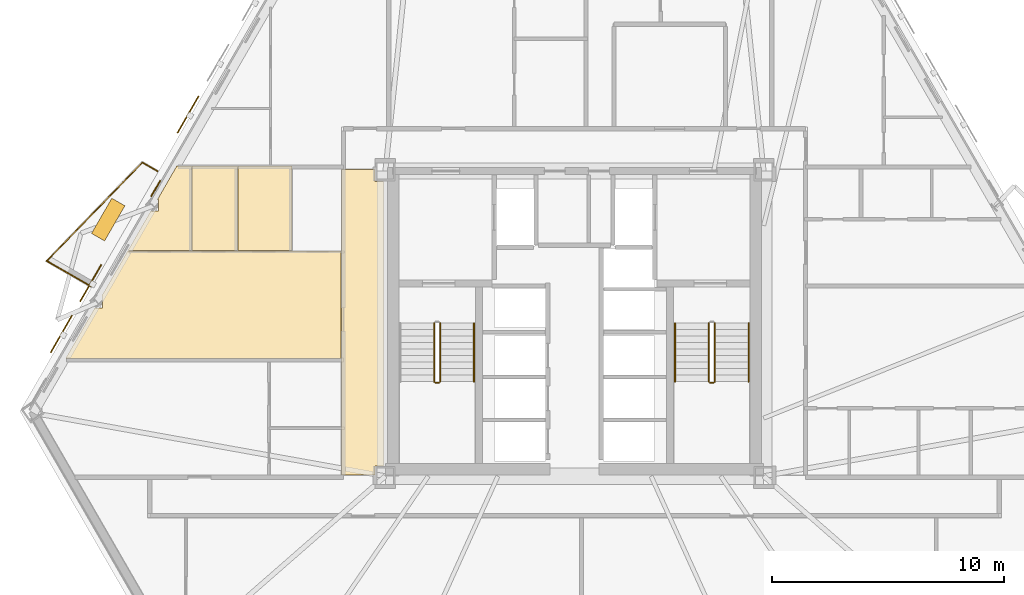
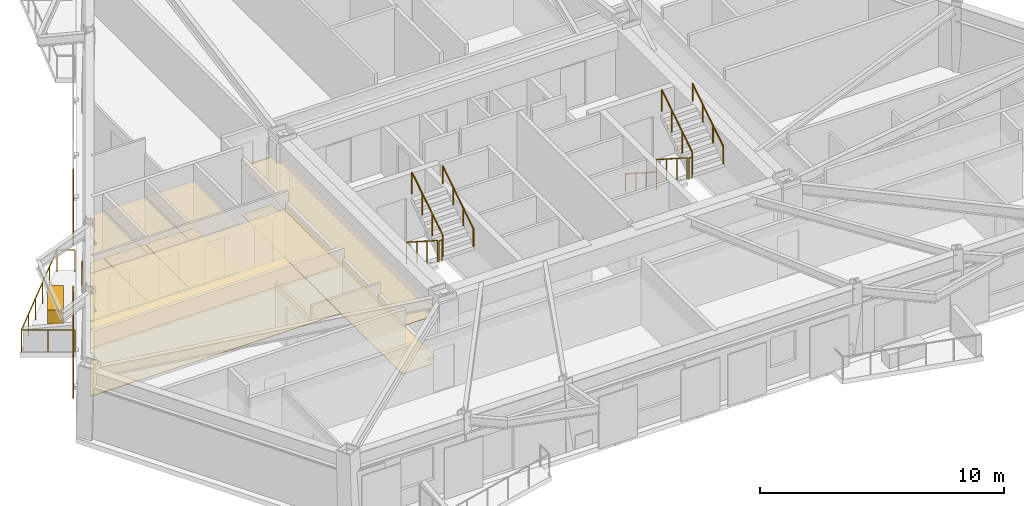
# One storey, part 9 of 11: 12 coverings, 12 railings, 3 shading devices.
"""IFC4 building model written with IfcOpenShell, lengths in metres."""

from ifc_helpers import new_model, si_unit, direction, frame, origin, origin_2d, place, context, subcontext, project, spatial, polyline, rectangle, circle, outline, extrude, material, layer, layer_set, type_object, element, save


model = new_model("IFC4")

# Units and contexts
model_context = context("Model", 3, precision=1e-05, world=origin(), true_north=direction((0.0, 1.0)))
body_context = subcontext(model_context, "Body", "Model", "MODEL_VIEW")
ifc_project = project(units=[si_unit("LENGTHUNIT", "METRE"), si_unit("AREAUNIT", "SQUARE_METRE"), si_unit("VOLUMEUNIT", "CUBIC_METRE"), si_unit("PLANEANGLEUNIT", "RADIAN"), si_unit("MASSUNIT", "GRAM", prefix="KILO")], contexts=[model_context])

# Site, building, storey
site_placement = place(None, origin())
site = spatial("IfcSite", under=ifc_project, at=site_placement, CompositionType="ELEMENT")
building_placement = place(site_placement, origin())
building = spatial("IfcBuilding", under=site, at=building_placement, Name="Oramaril Tower", CompositionType="ELEMENT")
storey_placement = place(building_placement, frame((0.0, 0.0, 89.699951171875)))
storey = spatial("IfcBuildingStorey", under=building, at=storey_placement, Name="L23", CompositionType="ELEMENT", Elevation=89.699951171875)

# Coverings
ifc_material_1 = material(Name="Mineral Fibre Acoustic Ceiling")
ifc_layer_1 = layer(ifc_material_1, 0.02001953125)
ifc_layer_set_1 = layer_set([ifc_layer_1], Name="CVT-CEIL")
covering_type_1 = type_object("IfcCoveringType", Name="CVT-CEIL", PredefinedType="CEILING", material=ifc_layer_set_1)
covering_1_placement = place(storey_placement, frame((0.0, 0.0, 2.400146484375)))
element("IfcCovering", 1, at=covering_1_placement, inside=storey, type_object=covering_type_1, Name="L23 Acoustic Suspended Ceiling 3", PredefinedType="CEILING", context=body_context, shape_type="SweptSolid", body=[
    extrude(outline(polyline([(28.905029296875, 23.705078125), (29.280029296875, 23.705078125), (29.280029296875, 11.445068359375), (28.905029296875, 11.445068359375), (28.905029296875, 11.050048828125), (27.469970703125, 11.050048828125), (27.469970703125, 24.219970703125), (28.905029296875, 24.219970703125), (28.905029296875, 23.705078125)])), origin(), (0.0, 0.0, 1.0), 0.02001953125),
])
covering_2_placement = place(storey_placement, frame((0.0, 0.0, 2.400146484375)))
element("IfcCovering", 2, at=covering_2_placement, inside=storey, type_object=covering_type_1, Name="L23 Acoustic Suspended Ceiling 13", PredefinedType="CEILING", context=body_context, shape_type="SweptSolid", body=[
    extrude(outline(polyline([(16.83837890625, 18.255859375), (17.168701171875, 18.255859375), (17.168701171875, 18.7705078125), (17.135498046875, 18.7705078125), (18.250244140625, 20.701171875), (27.449951171875, 20.701171875), (27.449951171875, 16.06201171875), (24.39208984375, 16.06201171875), (24.389892578125, 16.06201171875), (24.38818359375, 16.0615234375), (24.38623046875, 16.06103515625), (24.38427734375, 16.060546875), (24.382568359375, 16.0595703125), (24.382080078125, 16.059326171875), (24.38134765625, 16.0595703125), (24.379638671875, 16.060546875), (24.377685546875, 16.06103515625), (24.3759765625, 16.0615234375), (24.3740234375, 16.06201171875), (24.3720703125, 16.06201171875), (15.572021484375, 16.06201171875), (16.83837890625, 18.255859375)])), origin(), (0.0, 0.0, 1.0), 0.02001953125),
])
covering_3_placement = place(storey_placement, frame((0.0, 0.0, 2.400146484375)))
element("IfcCovering", 3, at=covering_3_placement, inside=storey, type_object=covering_type_1, Name="L23 Acoustic Suspended Ceiling 14", PredefinedType="CEILING", context=body_context, shape_type="SweptSolid", body=[
    extrude(outline(polyline([(19.573486328125, 22.42138671875), (19.573486328125, 22.926025390625), (19.534912109375, 22.926025390625), (20.36376953125, 24.362060546875), (21.00341796875, 24.362060546875), (21.00341796875, 20.72119140625), (18.261962890625, 20.72119140625), (19.243408203125, 22.42138671875), (19.573486328125, 22.42138671875)])), origin(), (0.0, 0.0, 1.0), 0.02001953125),
])
covering_4_placement = place(storey_placement, frame((0.0, 0.0, 2.400146484375)))
element("IfcCovering", 4, at=covering_4_placement, inside=storey, type_object=covering_type_1, Name="L23 Acoustic Suspended Ceiling 15", PredefinedType="CEILING", context=body_context, shape_type="SweptSolid", body=[
    extrude(outline(polyline([(22.970947265625, 24.362060546875), (22.970947265625, 20.72119140625), (21.0234375, 20.72119140625), (21.0234375, 24.362060546875), (22.970947265625, 24.362060546875)])), origin(), (0.0, 0.0, 1.0), 0.02001953125),
])
covering_5_placement = place(storey_placement, frame((0.0, 0.0, 2.400146484375)))
element("IfcCovering", 5, at=covering_5_placement, inside=storey, type_object=covering_type_1, Name="L23 Acoustic Suspended Ceiling 16", PredefinedType="CEILING", context=body_context, shape_type="SweptSolid", body=[
    extrude(outline(polyline([(25.319580078125, 24.362060546875), (25.319580078125, 20.72119140625), (22.990966796875, 20.72119140625), (22.990966796875, 24.362060546875), (25.319580078125, 24.362060546875)])), origin(), (0.0, 0.0, 1.0), 0.02001953125),
])
ifc_material_2 = material(Name="Warm Cream Limestone", Category="masonry")
ifc_layer_2 = layer(ifc_material_2, 0.050048828125)
ifc_layer_set_2 = layer_set([ifc_layer_2], Name="CVT-CLD")
covering_type_2 = type_object("IfcCoveringType", Name="CVT-CLD", PredefinedType="CLADDING", material=ifc_layer_set_2)
covering_6_placement = place(storey_placement, frame((19.45703125, 23.393310546875, 0.0400390625), z_axis=(0.0, 0.0, 1.0), x_axis=(-0.5, -0.866025403784, 0.0)))
element("IfcCovering", 6, at=covering_6_placement, inside=storey, type_object=covering_type_2, Name="L23 Warm Cream Limestone Spandrel Cladding", PredefinedType="CLADDING", context=body_context, shape_type="SweptSolid", body=[
    extrude(rectangle(XDim=0.800048828125, YDim=0.050048828125, at=origin_2d()), origin(), (0.0, 0.0, 1.0), 0.679931640625),
])
covering_7_placement = place(storey_placement, frame((17.409423828125, 22.05419921875, 0.0), z_axis=(0.0, 0.0, 1.0), x_axis=(-0.5, -0.866025403784, 0.0)))
element("IfcCovering", 7, at=covering_7_placement, inside=storey, type_object=covering_type_2, Name="L23 Structural Tree Planter Box L23-BAL-NW2", PredefinedType="CLADDING", context=body_context, shape_type="SweptSolid", body=[
    extrude(rectangle(XDim=1.75, YDim=0.64990234375, at=origin_2d()), origin(), (0.0, 0.0, 1.0), 0.699951171875),
])
ifc_material_3 = material(Name="Honed Quartzite Stone Flooring", Category="masonry")
ifc_layer_3 = layer(ifc_material_3, 0.02490234375)
ifc_layer_set_3 = layer_set([ifc_layer_3], Name="CVT-FLR")
covering_type_3 = type_object("IfcCoveringType", Name="CVT-FLR", PredefinedType="FLOORING", material=ifc_layer_set_3)
covering_8_placement = place(storey_placement, origin())
element("IfcCovering", 8, at=covering_8_placement, inside=storey, type_object=covering_type_3, Name="L23 Honed Stone Floor Finish 3", PredefinedType="FLOORING", context=body_context, shape_type="SweptSolid", body=[
    extrude(outline(polyline([(28.905029296875, 23.705078125), (29.280029296875, 23.705078125), (29.280029296875, 11.445068359375), (28.905029296875, 11.445068359375), (28.905029296875, 11.050048828125), (27.469970703125, 11.050048828125), (27.469970703125, 24.219970703125), (28.905029296875, 24.219970703125), (28.905029296875, 23.705078125)])), origin(), (0.0, 0.0, 1.0), 0.025146484375),
])
covering_9_placement = place(storey_placement, origin())
element("IfcCovering", 9, at=covering_9_placement, inside=storey, type_object=covering_type_3, Name="L23 Honed Stone Floor Finish 13", PredefinedType="FLOORING", context=body_context, shape_type="SweptSolid", body=[
    extrude(outline(polyline([(16.83837890625, 18.255859375), (17.168701171875, 18.255859375), (17.168701171875, 18.7705078125), (17.135498046875, 18.7705078125), (18.250244140625, 20.701171875), (27.449951171875, 20.701171875), (27.449951171875, 16.06201171875), (24.39208984375, 16.06201171875), (24.389892578125, 16.06201171875), (24.38818359375, 16.0615234375), (24.38623046875, 16.06103515625), (24.38427734375, 16.060546875), (24.382568359375, 16.0595703125), (24.382080078125, 16.059326171875), (24.38134765625, 16.0595703125), (24.379638671875, 16.060546875), (24.377685546875, 16.06103515625), (24.3759765625, 16.0615234375), (24.3740234375, 16.06201171875), (24.3720703125, 16.06201171875), (15.572021484375, 16.06201171875), (16.83837890625, 18.255859375)])), origin(), (0.0, 0.0, 1.0), 0.025146484375),
])
covering_10_placement = place(storey_placement, origin())
element("IfcCovering", 10, at=covering_10_placement, inside=storey, type_object=covering_type_3, Name="L23 Honed Stone Floor Finish 14", PredefinedType="FLOORING", context=body_context, shape_type="SweptSolid", body=[
    extrude(outline(polyline([(19.573486328125, 22.42138671875), (19.573486328125, 22.926025390625), (19.534912109375, 22.926025390625), (20.36376953125, 24.362060546875), (21.00341796875, 24.362060546875), (21.00341796875, 20.72119140625), (18.261962890625, 20.72119140625), (19.243408203125, 22.42138671875), (19.573486328125, 22.42138671875)])), origin(), (0.0, 0.0, 1.0), 0.025146484375),
])
covering_11_placement = place(storey_placement, origin())
element("IfcCovering", 11, at=covering_11_placement, inside=storey, type_object=covering_type_3, Name="L23 Honed Stone Floor Finish 15", PredefinedType="FLOORING", context=body_context, shape_type="SweptSolid", body=[
    extrude(outline(polyline([(22.970947265625, 24.362060546875), (22.970947265625, 20.72119140625), (21.0234375, 20.72119140625), (21.0234375, 24.362060546875), (22.970947265625, 24.362060546875)])), origin(), (0.0, 0.0, 1.0), 0.025146484375),
])
covering_12_placement = place(storey_placement, origin())
element("IfcCovering", 12, at=covering_12_placement, inside=storey, type_object=covering_type_3, Name="L23 Honed Stone Floor Finish 16", PredefinedType="FLOORING", context=body_context, shape_type="SweptSolid", body=[
    extrude(outline(polyline([(25.319580078125, 24.362060546875), (25.319580078125, 20.72119140625), (22.990966796875, 20.72119140625), (22.990966796875, 24.362060546875), (25.319580078125, 24.362060546875)])), origin(), (0.0, 0.0, 1.0), 0.025146484375),
])

# Railings
ifc_material_4 = material(Name="Stainless Steel 316L", Category="steel")
railing_type_1 = type_object("IfcRailingType", Name="RLT-GRD", PredefinedType="GUARDRAIL", material=ifc_material_4)
railing_1_placement = place(storey_placement, frame((16.659912109375, 19.1787109375, 0.0)))
element("IfcRailing", 13, at=railing_1_placement, inside=storey, type_object=railing_type_1, Name="L23 Balcony Guardrail L23-BAL-NW2.1", PredefinedType="GUARDRAIL", context=body_context, shape_type="SweptSolid", body=[
    extrude(circle(Radius=0.02392578125, at=origin_2d()), frame((0.0, 0.0, 1.076171875), z_axis=(-0.866020500697, 0.5000084923, 0.0), x_axis=(-0.5000084923, -0.866020500697, 0.0)), (0.0, 0.0, 1.0), 2.19189453125),
    extrude(circle(Radius=0.02099609375, at=origin_2d()), origin(), (0.0, 0.0, 1.0), 1.052001953125),
    extrude(circle(Radius=0.02099609375, at=origin_2d()), frame((-0.94921875, 0.5478515625, 0.0)), (0.0, 0.0, 1.0), 1.052001953125),
    extrude(circle(Radius=0.02099609375, at=origin_2d()), frame((-1.898193359375, 1.095947265625, 0.0)), (0.0, 0.0, 1.0), 1.052001953125),
])
railing_2_placement = place(storey_placement, frame((14.76171875, 20.274658203125, 0.0)))
element("IfcRailing", 14, at=railing_2_placement, inside=storey, type_object=railing_type_1, Name="L23 Balcony Guardrail L23-BAL-NW2.2", PredefinedType="GUARDRAIL", context=body_context, shape_type="SweptSolid", body=[
    extrude(circle(Radius=0.02392578125, at=origin_2d()), frame((0.0, 0.0, 1.076171875), z_axis=(0.697165686546, 0.716910040034, 0.0), x_axis=(-0.716910040034, 0.697165686546, 0.0)), (0.0, 0.0, 1.0), 5.910400390625),
    extrude(circle(Radius=0.02099609375, at=origin_2d()), origin(), (0.0, 0.0, 1.0), 1.052001953125),
    extrude(circle(Radius=0.02099609375, at=origin_2d()), frame((0.82421875, 0.847412109375, 0.0)), (0.0, 0.0, 1.0), 1.052001953125),
    extrude(circle(Radius=0.02099609375, at=origin_2d()), frame((1.648193359375, 1.69482421875, 0.0)), (0.0, 0.0, 1.0), 1.052001953125),
    extrude(circle(Radius=0.02099609375, at=origin_2d()), frame((2.472412109375, 2.54248046875, 0.0)), (0.0, 0.0, 1.0), 1.052001953125),
    extrude(circle(Radius=0.02099609375, at=origin_2d()), frame((3.29638671875, 3.389892578125, 0.0)), (0.0, 0.0, 1.0), 1.052001953125),
    extrude(circle(Radius=0.02099609375, at=origin_2d()), frame((4.12060546875, 4.2373046875, 0.0)), (0.0, 0.0, 1.0), 1.052001953125),
])
railing_3_placement = place(storey_placement, frame((18.88232421875, 24.511962890625, 0.0)))
element("IfcRailing", 15, at=railing_3_placement, inside=storey, type_object=railing_type_1, Name="L23 Balcony Guardrail L23-BAL-NW2.3", PredefinedType="GUARDRAIL", context=body_context, shape_type="SweptSolid", body=[
    extrude(circle(Radius=0.02392578125, at=origin_2d()), frame((0.0, 0.0, 1.076171875), z_axis=(0.866108878364, -0.499855389907, 0.0), x_axis=(0.499855389907, 0.866108878364, 0.0)), (0.0, 0.0, 1.0), 0.741943359375),
    extrude(circle(Radius=0.02099609375, at=origin_2d()), origin(), (0.0, 0.0, 1.0), 1.052001953125),
    extrude(circle(Radius=0.02099609375, at=origin_2d()), frame((0.642578125, -0.370849609375, 0.0)), (0.0, 0.0, 1.0), 1.052001953125),
])
railing_4_placement = place(storey_placement, frame((31.4599609375, 17.590087890625, 0.179931640625)))
element("IfcRailing", 16, at=railing_4_placement, inside=storey, type_object=railing_type_1, Name="L23 ST-1 stair guard 1", PredefinedType="GUARDRAIL", context=body_context, shape_type="SweptSolid", body=[
    extrude(circle(Radius=0.02392578125, at=origin_2d()), frame((0.0, 0.0, 1.076171875), z_axis=(0.0, -0.841162588446, 0.540782303519), x_axis=(1.0, 0.0, 0.0)), (0.0, 0.0, 1.0), 2.995849609375),
    extrude(circle(Radius=0.02099609375, at=origin_2d()), origin(), (0.0, 0.0, 1.0), 1.052001953125),
    extrude(circle(Radius=0.02099609375, at=origin_2d()), frame((0.0, -0.840087890625, 0.5400390625)), (0.0, 0.0, 1.0), 1.052001953125),
    extrude(circle(Radius=0.02099609375, at=origin_2d()), frame((0.0, -1.679931640625, 1.080078125)), (0.0, 0.0, 1.0), 1.052001953125),
    extrude(circle(Radius=0.02099609375, at=origin_2d()), frame((0.0, -2.52001953125, 1.6201171875)), (0.0, 0.0, 1.0), 1.052001953125),
])
railing_5_placement = place(storey_placement, frame((31.510009765625, 15.02001953125, 1.800048828125)))
element("IfcRailing", 17, at=railing_5_placement, inside=storey, type_object=railing_type_1, Name="L23 ST-1 stair guard 2", PredefinedType="GUARDRAIL", context=body_context, shape_type="SweptSolid", body=[
    extrude(circle(Radius=0.02392578125, at=origin_2d()), frame((0.0, 0.0, 1.076171875), z_axis=(1.0, 0.0, 0.0), x_axis=(0.0, 1.0, 0.0)), (0.0, 0.0, 1.0), 0.14990234375),
    extrude(circle(Radius=0.02099609375, at=origin_2d()), origin(), (0.0, 0.0, 1.0), 1.052001953125),
    extrude(circle(Radius=0.02099609375, at=origin_2d()), frame((0.14990234375, 0.0, 0.0)), (0.0, 0.0, 1.0), 1.052001953125),
])
railing_6_placement = place(storey_placement, frame((31.7099609375, 15.070068359375, 1.97998046875)))
element("IfcRailing", 18, at=railing_6_placement, inside=storey, type_object=railing_type_1, Name="L23 ST-1 stair guard 3", PredefinedType="GUARDRAIL", context=body_context, shape_type="SweptSolid", body=[
    extrude(circle(Radius=0.02392578125, at=origin_2d()), frame((0.0, 0.0, 1.076171875), z_axis=(0.0, 0.841162588446, 0.540782303519), x_axis=(-1.0, 0.0, 0.0)), (0.0, 0.0, 1.0), 2.995849609375),
    extrude(circle(Radius=0.02099609375, at=origin_2d()), origin(), (0.0, 0.0, 1.0), 1.052001953125),
    extrude(circle(Radius=0.02099609375, at=origin_2d()), frame((0.0, 0.840087890625, 0.5400390625)), (0.0, 0.0, 1.0), 1.052001953125),
    extrude(circle(Radius=0.02099609375, at=origin_2d()), frame((0.0, 1.679931640625, 1.080078125)), (0.0, 0.0, 1.0), 1.052001953125),
    extrude(circle(Radius=0.02099609375, at=origin_2d()), frame((0.0, 2.52001953125, 1.6201171875)), (0.0, 0.0, 1.0), 1.052001953125),
])
railing_7_placement = place(storey_placement, frame((43.2900390625, 17.590087890625, 0.179931640625)))
element("IfcRailing", 19, at=railing_7_placement, inside=storey, type_object=railing_type_1, Name="L23 ST-2 stair guard 1", PredefinedType="GUARDRAIL", context=body_context, shape_type="SweptSolid", body=[
    extrude(circle(Radius=0.02392578125, at=origin_2d()), frame((0.0, 0.0, 1.076171875), z_axis=(0.0, -0.841162588446, 0.540782303519), x_axis=(1.0, 0.0, 0.0)), (0.0, 0.0, 1.0), 2.995849609375),
    extrude(circle(Radius=0.02099609375, at=origin_2d()), origin(), (0.0, 0.0, 1.0), 1.052001953125),
    extrude(circle(Radius=0.02099609375, at=origin_2d()), frame((0.0, -0.840087890625, 0.5400390625)), (0.0, 0.0, 1.0), 1.052001953125),
    extrude(circle(Radius=0.02099609375, at=origin_2d()), frame((0.0, -1.679931640625, 1.080078125)), (0.0, 0.0, 1.0), 1.052001953125),
    extrude(circle(Radius=0.02099609375, at=origin_2d()), frame((0.0, -2.52001953125, 1.6201171875)), (0.0, 0.0, 1.0), 1.052001953125),
])
railing_8_placement = place(storey_placement, frame((43.340087890625, 15.02001953125, 1.800048828125)))
element("IfcRailing", 20, at=railing_8_placement, inside=storey, type_object=railing_type_1, Name="L23 ST-2 stair guard 2", PredefinedType="GUARDRAIL", context=body_context, shape_type="SweptSolid", body=[
    extrude(circle(Radius=0.02392578125, at=origin_2d()), frame((0.0, 0.0, 1.076171875), z_axis=(1.0, 0.0, 0.0), x_axis=(0.0, 1.0, 0.0)), (0.0, 0.0, 1.0), 0.14990234375),
    extrude(circle(Radius=0.02099609375, at=origin_2d()), origin(), (0.0, 0.0, 1.0), 1.052001953125),
    extrude(circle(Radius=0.02099609375, at=origin_2d()), frame((0.14990234375, 0.0, 0.0)), (0.0, 0.0, 1.0), 1.052001953125),
])
railing_9_placement = place(storey_placement, frame((43.5400390625, 15.070068359375, 1.97998046875)))
element("IfcRailing", 21, at=railing_9_placement, inside=storey, type_object=railing_type_1, Name="L23 ST-2 stair guard 3", PredefinedType="GUARDRAIL", context=body_context, shape_type="SweptSolid", body=[
    extrude(circle(Radius=0.02392578125, at=origin_2d()), frame((0.0, 0.0, 1.076171875), z_axis=(0.0, 0.841162588446, 0.540782303519), x_axis=(-1.0, 0.0, 0.0)), (0.0, 0.0, 1.0), 2.995849609375),
    extrude(circle(Radius=0.02099609375, at=origin_2d()), origin(), (0.0, 0.0, 1.0), 1.052001953125),
    extrude(circle(Radius=0.02099609375, at=origin_2d()), frame((0.0, 0.840087890625, 0.5400390625)), (0.0, 0.0, 1.0), 1.052001953125),
    extrude(circle(Radius=0.02099609375, at=origin_2d()), frame((0.0, 1.679931640625, 1.080078125)), (0.0, 0.0, 1.0), 1.052001953125),
    extrude(circle(Radius=0.02099609375, at=origin_2d()), frame((0.0, 2.52001953125, 1.6201171875)), (0.0, 0.0, 1.0), 1.052001953125),
])
ifc_material_5 = material(Name="Stainless Steel 316L", Category="steel")
railing_type_2 = type_object("IfcRailingType", Name="RLT-HND", PredefinedType="HANDRAIL", material=ifc_material_5)
railing_10_placement = place(storey_placement, frame((33.169921875, 15.070068359375, 1.97998046875)))
element("IfcRailing", 22, at=railing_10_placement, inside=storey, type_object=railing_type_2, Name="L23 ST-1 stair handrail 2", PredefinedType="HANDRAIL", context=body_context, shape_type="SweptSolid", body=[
    extrude(circle(Radius=0.02392578125, at=origin_2d()), frame((0.0, 0.0, 0.8759765625), z_axis=(0.0, 0.841162588446, 0.540782303519), x_axis=(-1.0, 0.0, 0.0)), (0.0, 0.0, 1.0), 2.995849609375),
    extrude(circle(Radius=0.02099609375, at=origin_2d()), origin(), (0.0, 0.0, 1.0), 0.851806640625),
    extrude(circle(Radius=0.02099609375, at=origin_2d()), frame((0.0, 0.840087890625, 0.5400390625)), (0.0, 0.0, 1.0), 0.851806640625),
    extrude(circle(Radius=0.02099609375, at=origin_2d()), frame((0.0, 1.679931640625, 1.080078125)), (0.0, 0.0, 1.0), 0.851806640625),
    extrude(circle(Radius=0.02099609375, at=origin_2d()), frame((0.0, 2.52001953125, 1.6201171875)), (0.0, 0.0, 1.0), 0.851806640625),
])
railing_11_placement = place(storey_placement, frame((41.830078125, 17.590087890625, 0.179931640625)))
element("IfcRailing", 23, at=railing_11_placement, inside=storey, type_object=railing_type_2, Name="L23 ST-2 stair handrail 1", PredefinedType="HANDRAIL", context=body_context, shape_type="SweptSolid", body=[
    extrude(circle(Radius=0.02392578125, at=origin_2d()), frame((0.0, 0.0, 0.8759765625), z_axis=(0.0, -0.841162588446, 0.540782303519), x_axis=(1.0, 0.0, 0.0)), (0.0, 0.0, 1.0), 2.995849609375),
    extrude(circle(Radius=0.02099609375, at=origin_2d()), origin(), (0.0, 0.0, 1.0), 0.851806640625),
    extrude(circle(Radius=0.02099609375, at=origin_2d()), frame((0.0, -0.840087890625, 0.5400390625)), (0.0, 0.0, 1.0), 0.851806640625),
    extrude(circle(Radius=0.02099609375, at=origin_2d()), frame((0.0, -1.679931640625, 1.080078125)), (0.0, 0.0, 1.0), 0.851806640625),
    extrude(circle(Radius=0.02099609375, at=origin_2d()), frame((0.0, -2.52001953125, 1.6201171875)), (0.0, 0.0, 1.0), 0.851806640625),
])
railing_12_placement = place(storey_placement, frame((45.0, 15.070068359375, 1.97998046875)))
element("IfcRailing", 24, at=railing_12_placement, inside=storey, type_object=railing_type_2, Name="L23 ST-2 stair handrail 2", PredefinedType="HANDRAIL", context=body_context, shape_type="SweptSolid", body=[
    extrude(circle(Radius=0.02392578125, at=origin_2d()), frame((0.0, 0.0, 0.8759765625), z_axis=(0.0, 0.841162588446, 0.540782303519), x_axis=(-1.0, 0.0, 0.0)), (0.0, 0.0, 1.0), 2.995849609375),
    extrude(circle(Radius=0.02099609375, at=origin_2d()), origin(), (0.0, 0.0, 1.0), 0.851806640625),
    extrude(circle(Radius=0.02099609375, at=origin_2d()), frame((0.0, 0.840087890625, 0.5400390625)), (0.0, 0.0, 1.0), 0.851806640625),
    extrude(circle(Radius=0.02099609375, at=origin_2d()), frame((0.0, 1.679931640625, 1.080078125)), (0.0, 0.0, 1.0), 0.851806640625),
    extrude(circle(Radius=0.02099609375, at=origin_2d()), frame((0.0, 2.52001953125, 1.6201171875)), (0.0, 0.0, 1.0), 0.851806640625),
])

# Shading devices
for number, where, z_axis, x_axis, name in (
    (25, (15.391357421875, 17.12548828125, -0.02001953125), (0.0, 0.0, 1.0), (-0.5, -0.866025403784, 0.0), "L23 Perforated Ceramic Solar Screen"),
    (26, (16.65771484375, 19.318603515625, -0.02001953125), (0.0, 0.0, 1.0), (-0.5, -0.866025403784, 0.0), "L23 Perforated Ceramic Solar Screen"),
    (27, (20.85009765625, 26.580322265625, -0.02001953125), (0.0, 0.0, 1.0), (-0.5, -0.866025403784, 0.0), "L23 Perforated Ceramic Solar Screen"),
):
    element("IfcShadingDevice", number, at=place(storey_placement, frame(where, z_axis=z_axis, x_axis=x_axis)), inside=storey, Name=name, ObjectType="SCREEN", PredefinedType="USERDEFINED", context=body_context, shape_type="SweptSolid", body=[
        extrude(rectangle(XDim=1.8330078125, YDim=0.050048828125, at=origin_2d()), origin(), (0.0, 0.0, 1.0), 2.577880859375),
    ])

save(model, "model.ifc")
